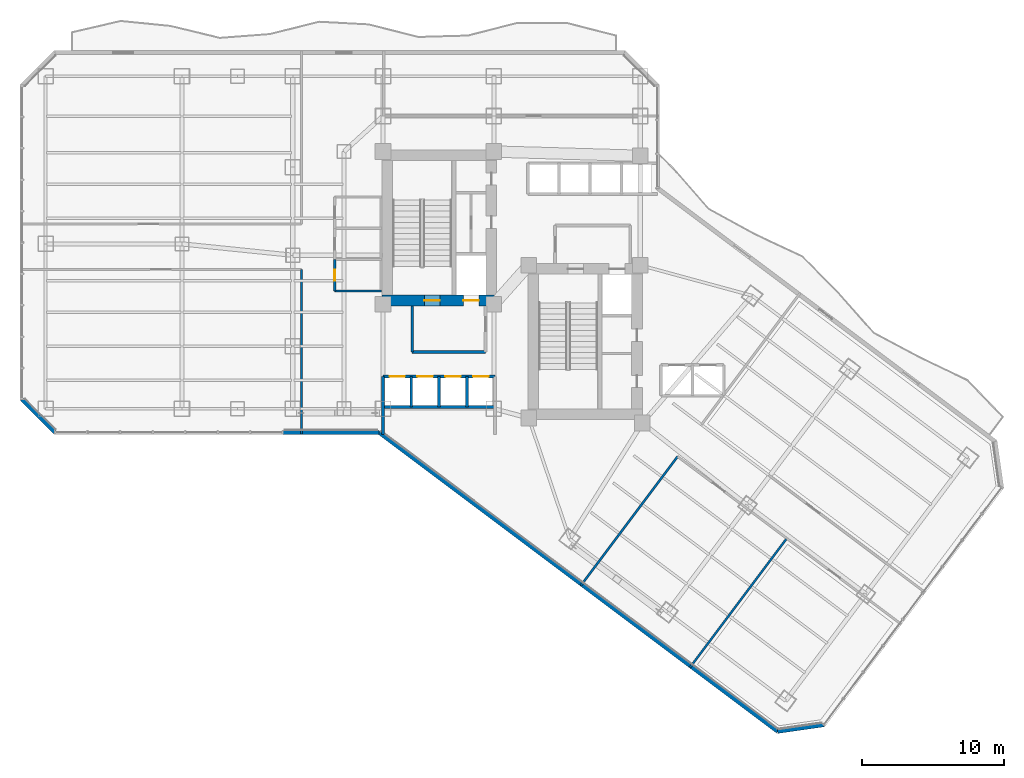
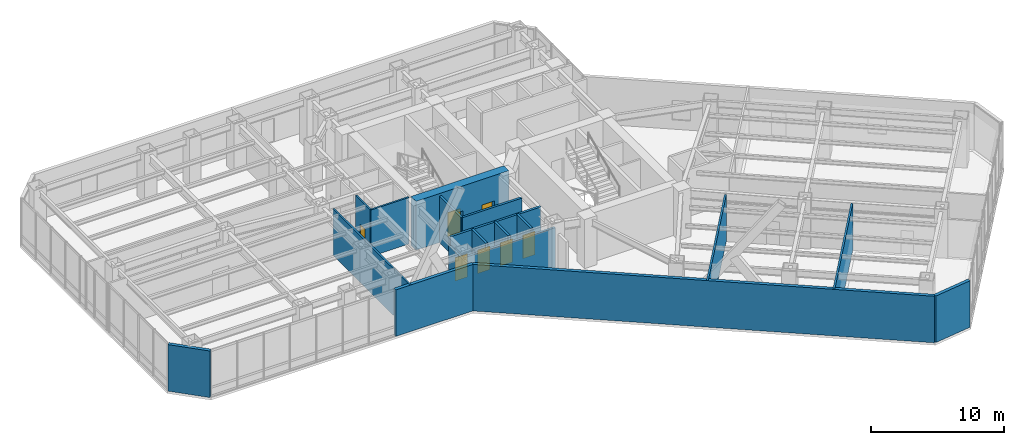
# One storey, part 21 of 29: 18 walls, 7 doors, 7 openings.
"""IFC4 building model written with IfcOpenShell, lengths in metres."""

from ifc_helpers import new_model, si_unit, direction, frame, frame_2d, origin, place, context, subcontext, project, spatial, rectangle, extrude, material, layer, layer_set, type_object, element, fill, save


model = new_model("IFC4")

# Units and contexts
model_context = context("Model", 3, precision=1e-05, world=origin(), true_north=direction((0.0, 1.0)))
body_context = subcontext(model_context, "Body", "Model", "MODEL_VIEW")
ifc_project = project(units=[si_unit("LENGTHUNIT", "METRE"), si_unit("AREAUNIT", "SQUARE_METRE"), si_unit("VOLUMEUNIT", "CUBIC_METRE"), si_unit("PLANEANGLEUNIT", "RADIAN"), si_unit("MASSUNIT", "GRAM", prefix="KILO")], contexts=[model_context])

# Site, building, storey
site_placement = place(None, origin())
site = spatial("IfcSite", under=ifc_project, at=site_placement, CompositionType="ELEMENT")
building_placement = place(site_placement, origin())
building = spatial("IfcBuilding", under=site, at=building_placement, Name="Hatsunagi Terrace Concourse", CompositionType="ELEMENT")
storey_placement = place(building_placement, frame((0.0, 0.0, 32.10009765625)))
storey = spatial("IfcBuildingStorey", under=building, at=storey_placement, Name="L07", CompositionType="ELEMENT", Elevation=32.10009765625)

# Wall, openings, doors
ifc_material_1 = material(Name="Concrete Fc60", Category="concrete")
ifc_layer_1 = layer(ifc_material_1, 0.75)
ifc_layer_set_1 = layer_set([ifc_layer_1], Name="CoreShearWall_Fc60_750")
wall_type_1 = type_object("IfcWallType", Name="CoreShearWall_Fc60_750", PredefinedType="SHEAR", material=ifc_layer_set_1)
wall_1_placement = place(storey_placement, frame((25.469970703125, 32.81494140625, 0.0), z_axis=(0.0, 0.0, 1.0), x_axis=(1.0, 0.0, 0.0)))
wall_1 = element("IfcWall", 1, at=wall_1_placement, inside=storey, type_object=wall_type_1, Name="Core A Shear Wall S L07", PredefinedType="SHEAR", context=body_context, shape_type="SweptSolid", body=[
    extrude(rectangle(XDim=8.080078125, YDim=0.75, at=frame_2d((4.0400390625, 0.0))), origin(), (0.0, 0.0, 1.0), 4.5),
])
opening_1_placement = place(wall_1_placement, frame((2.97998046875, 0.0, 0.0)))
opening_1 = element("IfcOpeningElement", 2, at=opening_1_placement, cuts=wall_1, Name="Opening DR-110S", PredefinedType="OPENING", context=body_context, shape_type="SweptSolid", body=[
    extrude(rectangle(XDim=1.10009765625, YDim=2.199951171875, at=frame_2d((0.550048828125, 1.10009765625))), frame((0.0, 0.385009765625, 0.0), z_axis=(0.0, -1.0, 0.0), x_axis=(1.0, 0.0, 0.0)), (0.0, 0.0, 1.0), 0.77001953125),
])
opening_2_placement = place(wall_1_placement, frame((5.72998046875, 0.0, 0.0)))
opening_2 = element("IfcOpeningElement", 3, at=opening_2_placement, cuts=wall_1, Name="Opening LD-01", PredefinedType="OPENING", context=body_context, shape_type="SweptSolid", body=[
    extrude(rectangle(XDim=1.10009765625, YDim=2.14990234375, at=frame_2d((0.550048828125, 1.074951171875))), frame((0.0, 0.385009765625, 0.0), z_axis=(0.0, -1.0, 0.0), x_axis=(1.0, 0.0, 0.0)), (0.0, 0.0, 1.0), 0.77001953125),
])
ifc_material_2 = material(Name="Stainless steel", Category="steel")
door_type_1 = type_object("IfcDoorType", Name="LiftLandingDoor_LD01", OperationType="SLIDING_TO_LEFT", PredefinedType="USERDEFINED", material=ifc_material_2)
door_1_placement = place(opening_2_placement, origin())
door_1 = element("IfcDoor", 4, at=door_1_placement, inside=storey, type_object=door_type_1, Name="Lift landing door FF-01 L07", ObjectType="SLIDING_LANDING_DOOR", OperationType="SLIDING_TO_LEFT", OverallHeight=2.14990234375, OverallWidth=1.10009765625, PredefinedType="USERDEFINED", context=body_context, shape_type="SweptSolid", body=[
    extrude(rectangle(XDim=1.10009765625, YDim=2.14990234375, at=frame_2d((0.550048828125, 1.074951171875))), frame((0.0, 0.02490234375, 0.0), z_axis=(0.0, -1.0, 0.0), x_axis=(1.0, 0.0, 0.0)), (0.0, 0.0, 1.0), 0.050048828125),
])
fill(opening_2, door_1)
ifc_material_3 = material(Name="Painted steel", Category="steel")
door_type_2 = type_object("IfcDoorType", Name="StairFireDoor_EI60_1100", OperationType="NOTDEFINED", PredefinedType="DOOR", material=ifc_material_3)
door_2_placement = place(opening_1_placement, origin())
door_2 = element("IfcDoor", 5, at=door_2_placement, inside=storey, type_object=door_type_2, Name="Stair ST-A Exit Door L07", OperationType="SINGLE_SWING_LEFT", OverallHeight=2.199951171875, OverallWidth=1.10009765625, PredefinedType="DOOR", context=body_context, shape_type="SweptSolid", body=[
    extrude(rectangle(XDim=1.10009765625, YDim=2.199951171875, at=frame_2d((0.550048828125, 1.10009765625))), frame((0.0, 0.02490234375, 0.0), z_axis=(0.0, -1.0, 0.0), x_axis=(1.0, 0.0, 0.0)), (0.0, 0.0, 1.0), 0.050048828125),
])
fill(opening_1, door_2)

# Wall
ifc_material_4 = material(Name="Acoustic mineral board", Category="gypsum")
ifc_layer_2 = layer(ifc_material_4, 0.14990234375)
ifc_layer_set_2 = layer_set([ifc_layer_2], Name="PartitionWall_EI60_150")
wall_type_2 = type_object("IfcWallType", Name="PartitionWall_EI60_150", PredefinedType="PARTITIONING", material=ifc_layer_set_2)
wall_2_placement = place(storey_placement, frame((22.14990234375, 33.5, 0.0), z_axis=(0.0, 0.0, 1.0), x_axis=(1.0, 0.0, 0.0)))
element("IfcWall", 6, at=wall_2_placement, inside=storey, type_object=wall_type_2, Name="Interior Partition IW-L07-030", PredefinedType="PARTITIONING", context=body_context, shape_type="SweptSolid", body=[
    extrude(rectangle(XDim=3.300048828125, YDim=0.14990234375, at=frame_2d((1.64990234375, 0.0))), origin(), (0.0, 0.0, 1.0), 4.27978515625),
])

# Wall, opening, door
wall_3_placement = place(storey_placement, frame((22.14990234375, 33.5, 0.0), z_axis=(0.0, 0.0, 1.0), x_axis=(0.0, 1.0, 0.0)))
wall_3 = element("IfcWall", 7, at=wall_3_placement, inside=storey, type_object=wall_type_2, Name="Interior Partition IW-L07-035", PredefinedType="PARTITIONING", context=body_context, shape_type="SweptSolid", body=[
    extrude(rectangle(XDim=2.199951171875, YDim=0.14990234375, at=frame_2d((1.10009765625, 0.0))), origin(), (0.0, 0.0, 1.0), 4.27978515625),
])
opening_3_placement = place(wall_3_placement, frame((0.699951171875, 0.0, 0.0)))
opening_3 = element("IfcOpeningElement", 8, at=opening_3_placement, cuts=wall_3, Name="Opening DR-080", PredefinedType="OPENING", context=body_context, shape_type="SweptSolid", body=[
    extrude(rectangle(XDim=0.800048828125, YDim=2.06005859375, at=frame_2d((0.39990234375, 1.030029296875))), frame((0.0, 0.0849609375, 0.0), z_axis=(0.0, -1.0, 0.0), x_axis=(1.0, 0.0, 0.0)), (0.0, 0.0, 1.0), 0.169921875),
])
ifc_material_5 = material(Name="Hardwood timber", Category="wood")
door_type_3 = type_object("IfcDoorType", Name="BathroomDoor_800", OperationType="NOTDEFINED", PredefinedType="DOOR", material=ifc_material_5)
door_3_placement = place(opening_3_placement, origin())
door_3 = element("IfcDoor", 9, at=door_3_placement, inside=storey, type_object=door_type_3, Name="Accessible WC Door L07", OperationType="SINGLE_SWING_RIGHT", OverallHeight=2.06005859375, OverallWidth=0.800048828125, PredefinedType="DOOR", context=body_context, shape_type="SweptSolid", body=[
    extrude(rectangle(XDim=0.800048828125, YDim=2.06005859375, at=frame_2d((0.39990234375, 1.030029296875))), frame((0.0, 0.02490234375, 0.0), z_axis=(0.0, -1.0, 0.0), x_axis=(1.0, 0.0, 0.0)), (0.0, 0.0, 1.0), 0.050048828125),
])
fill(opening_3, door_3)

# Walls
wall_4_placement = place(storey_placement, frame((19.800048828125, 23.43994140625, 0.0), z_axis=(0.0, 0.0, 1.0), x_axis=(0.0, 1.0, 0.0)))
element("IfcWall", 10, at=wall_4_placement, inside=storey, type_object=wall_type_2, Name="Interior Partition IW-L07-041", PredefinedType="PARTITIONING", context=body_context, shape_type="SweptSolid", body=[
    extrude(rectangle(XDim=11.56005859375, YDim=0.14990234375, at=frame_2d((5.780029296875, 0.0))), origin(), (0.0, 0.0, 1.0), 4.27978515625),
])
for number, where, z_axis, x_axis, name in (
    (11, (39.464111328125, 12.751953125, 0.0), (0.0, 0.0, 1.0), (0.599989684202, 0.800007736744, 0.0), "Interior Partition IW-L07-047"),
    (12, (47.14404296875, 6.991943359375, 0.0), (0.0, 0.0, 1.0), (0.599989684202, 0.800007736744, 0.0), "Interior Partition IW-L07-048"),
):
    element("IfcWall", number, at=place(storey_placement, frame(where, z_axis=z_axis, x_axis=x_axis)), inside=storey, type_object=wall_type_2, Name=name, PredefinedType="PARTITIONING", context=body_context, shape_type="SweptSolid", body=[
        extrude(rectangle(XDim=11.360107421875, YDim=0.14990234375, at=frame_2d((5.68017578125, 0.0))), origin(), (0.0, 0.0, 1.0), 4.27978515625),
    ])
ifc_material_6 = material(Name="Acoustic mineral board", Category="gypsum")
ifc_layer_3 = layer(ifc_material_6, 0.199951171875)
ifc_layer_set_3 = layer_set([ifc_layer_3], Name="ShaftWall_EI120_200")
wall_type_3 = type_object("IfcWallType", Name="ShaftWall_EI120_200", PredefinedType="STANDARD", material=ifc_layer_set_3)
wall_5_placement = place(storey_placement, frame((27.60009765625, 29.199951171875, 0.0), z_axis=(0.0, 0.0, 1.0), x_axis=(1.0, 0.0, 0.0)))
element("IfcWall", 13, at=wall_5_placement, inside=storey, type_object=wall_type_3, Name="Interior Partition IW-L07-006", PredefinedType="STANDARD", context=body_context, shape_type="SweptSolid", body=[
    extrude(rectangle(XDim=5.14990234375, YDim=0.199951171875, at=frame_2d((2.574951171875, 0.0))), origin(), (0.0, 0.0, 1.0), 4.27978515625),
])
wall_6_placement = place(storey_placement, frame((27.60009765625, 29.199951171875, 0.0), z_axis=(0.0, 0.0, 1.0), x_axis=(0.0, 1.0, 0.0)))
element("IfcWall", 14, at=wall_6_placement, inside=storey, type_object=wall_type_3, Name="Interior Partition IW-L07-007", PredefinedType="STANDARD", context=body_context, shape_type="SweptSolid", body=[
    extrude(rectangle(XDim=3.239990234375, YDim=0.199951171875, at=frame_2d((1.6201171875, 0.0))), origin(), (0.0, 0.0, 1.0), 4.27978515625),
])
wall_7_placement = place(storey_placement, frame((25.550048828125, 23.39990234375, 0.0), z_axis=(0.0, 0.0, 1.0), x_axis=(0.0, 1.0, 0.0)))
element("IfcWall", 15, at=wall_7_placement, inside=storey, type_object=wall_type_3, Name="Interior Partition IW-L07-012", PredefinedType="STANDARD", context=body_context, shape_type="SweptSolid", body=[
    extrude(rectangle(XDim=4.080078125, YDim=0.199951171875, at=frame_2d((2.0400390625, 0.0))), origin(), (0.0, 0.0, 1.0), 3.474853515625),
])
wall_8_placement = place(storey_placement, frame((25.550048828125, 25.320068359375, 0.0), z_axis=(0.0, 0.0, 1.0), x_axis=(1.0, 0.0, 0.0)))
element("IfcWall", 16, at=wall_8_placement, inside=storey, type_object=wall_type_3, Name="Interior Partition IW-L07-014", PredefinedType="STANDARD", context=body_context, shape_type="SweptSolid", body=[
    extrude(rectangle(XDim=7.8798828125, YDim=0.199951171875, at=frame_2d((3.93994140625, 0.0))), origin(), (0.0, 0.0, 1.0), 3.6748046875),
])
for number, where, z_axis, x_axis, name in (
    (17, (27.530029296875, 25.320068359375, 0.0), (0.0, 0.0, 1.0), (0.0, 1.0, 0.0), "Interior Partition IW-L07-015"),
    (18, (29.489990234375, 25.320068359375, 0.0), (0.0, 0.0, 1.0), (0.0, 1.0, 0.0), "Interior Partition IW-L07-016"),
    (19, (31.449951171875, 25.320068359375, 0.0), (0.0, 0.0, 1.0), (0.0, 1.0, 0.0), "Interior Partition IW-L07-017"),
):
    element("IfcWall", number, at=place(storey_placement, frame(where, z_axis=z_axis, x_axis=x_axis)), inside=storey, type_object=wall_type_3, Name=name, PredefinedType="STANDARD", context=body_context, shape_type="SweptSolid", body=[
        extrude(rectangle(XDim=2.159912109375, YDim=0.199951171875, at=frame_2d((1.080078125, 0.0))), origin(), (0.0, 0.0, 1.0), 4.27978515625),
    ])

# Wall, openings, doors
wall_9_placement = place(storey_placement, frame((25.550048828125, 27.47998046875, 0.0), z_axis=(0.0, 0.0, 1.0), x_axis=(1.0, 0.0, 0.0)))
wall_9 = element("IfcWall", 20, at=wall_9_placement, inside=storey, type_object=wall_type_3, Name="Interior Partition IW-L07-018", PredefinedType="STANDARD", context=body_context, shape_type="SweptSolid", body=[
    extrude(rectangle(XDim=7.8798828125, YDim=0.199951171875, at=frame_2d((3.93994140625, 0.0))), origin(), (0.0, 0.0, 1.0), 4.27978515625),
])
opening_4_placement = place(wall_9_placement, frame((0.4599609375, 0.0, 0.0)))
opening_4 = element("IfcOpeningElement", 21, at=opening_4_placement, cuts=wall_9, Name="Opening LD-03", PredefinedType="OPENING", context=body_context, shape_type="SweptSolid", body=[
    extrude(rectangle(XDim=1.080078125, YDim=2.14990234375, at=frame_2d((0.5400390625, 1.074951171875))), frame((0.0, 0.10986328125, 0.0), z_axis=(0.0, -1.0, 0.0), x_axis=(1.0, 0.0, 0.0)), (0.0, 0.0, 1.0), 0.219970703125),
])
opening_5_placement = place(wall_9_placement, frame((2.419921875, 0.0, 0.0)))
opening_5 = element("IfcOpeningElement", 22, at=opening_5_placement, cuts=wall_9, Name="Opening LD-03", PredefinedType="OPENING", context=body_context, shape_type="SweptSolid", body=[
    extrude(rectangle(XDim=1.080078125, YDim=2.14990234375, at=frame_2d((0.5400390625, 1.074951171875))), frame((0.0, 0.10986328125, 0.0), z_axis=(0.0, -1.0, 0.0), x_axis=(1.0, 0.0, 0.0)), (0.0, 0.0, 1.0), 0.219970703125),
])
opening_6_placement = place(wall_9_placement, frame((4.3798828125, 0.0, 0.0)))
opening_6 = element("IfcOpeningElement", 23, at=opening_6_placement, cuts=wall_9, Name="Opening LD-03", PredefinedType="OPENING", context=body_context, shape_type="SweptSolid", body=[
    extrude(rectangle(XDim=1.080078125, YDim=2.14990234375, at=frame_2d((0.5400390625, 1.074951171875))), frame((0.0, 0.10986328125, 0.0), z_axis=(0.0, -1.0, 0.0), x_axis=(1.0, 0.0, 0.0)), (0.0, 0.0, 1.0), 0.219970703125),
])
opening_7_placement = place(wall_9_placement, frame((6.340087890625, 0.0, 0.0)))
opening_7 = element("IfcOpeningElement", 24, at=opening_7_placement, cuts=wall_9, Name="Opening LD-03", PredefinedType="OPENING", context=body_context, shape_type="SweptSolid", body=[
    extrude(rectangle(XDim=1.080078125, YDim=2.14990234375, at=frame_2d((0.5400390625, 1.074951171875))), frame((0.0, 0.10986328125, 0.0), z_axis=(0.0, -1.0, 0.0), x_axis=(1.0, 0.0, 0.0)), (0.0, 0.0, 1.0), 0.219970703125),
])
ifc_material_7 = material(Name="Stainless steel", Category="steel")
door_type_4 = type_object("IfcDoorType", Name="LiftLandingDoor_LD03", OperationType="SLIDING_TO_LEFT", PredefinedType="USERDEFINED", material=ifc_material_7)
door_4_placement = place(opening_4_placement, origin())
door_4 = element("IfcDoor", 25, at=door_4_placement, inside=storey, type_object=door_type_4, Name="Lift landing door PL-01 L07", ObjectType="SLIDING_LANDING_DOOR", OperationType="SLIDING_TO_LEFT", OverallHeight=2.14990234375, OverallWidth=1.080078125, PredefinedType="USERDEFINED", context=body_context, shape_type="SweptSolid", body=[
    extrude(rectangle(XDim=1.080078125, YDim=2.14990234375, at=frame_2d((0.5400390625, 1.074951171875))), frame((0.0, 0.02490234375, 0.0), z_axis=(0.0, -1.0, 0.0), x_axis=(1.0, 0.0, 0.0)), (0.0, 0.0, 1.0), 0.050048828125),
])
fill(opening_4, door_4)
door_5_placement = place(opening_5_placement, origin())
door_5 = element("IfcDoor", 26, at=door_5_placement, inside=storey, type_object=door_type_4, Name="Lift landing door PL-02 L07", ObjectType="SLIDING_LANDING_DOOR", OperationType="SLIDING_TO_LEFT", OverallHeight=2.14990234375, OverallWidth=1.080078125, PredefinedType="USERDEFINED", context=body_context, shape_type="SweptSolid", body=[
    extrude(rectangle(XDim=1.080078125, YDim=2.14990234375, at=frame_2d((0.5400390625, 1.074951171875))), frame((0.0, 0.02490234375, 0.0), z_axis=(0.0, -1.0, 0.0), x_axis=(1.0, 0.0, 0.0)), (0.0, 0.0, 1.0), 0.050048828125),
])
fill(opening_5, door_5)
door_6_placement = place(opening_6_placement, origin())
door_6 = element("IfcDoor", 27, at=door_6_placement, inside=storey, type_object=door_type_4, Name="Lift landing door PL-03 L07", ObjectType="SLIDING_LANDING_DOOR", OperationType="SLIDING_TO_LEFT", OverallHeight=2.14990234375, OverallWidth=1.080078125, PredefinedType="USERDEFINED", context=body_context, shape_type="SweptSolid", body=[
    extrude(rectangle(XDim=1.080078125, YDim=2.14990234375, at=frame_2d((0.5400390625, 1.074951171875))), frame((0.0, 0.02490234375, 0.0), z_axis=(0.0, -1.0, 0.0), x_axis=(1.0, 0.0, 0.0)), (0.0, 0.0, 1.0), 0.050048828125),
])
fill(opening_6, door_6)
door_7_placement = place(opening_7_placement, origin())
door_7 = element("IfcDoor", 28, at=door_7_placement, inside=storey, type_object=door_type_4, Name="Lift landing door PL-04 L07", ObjectType="SLIDING_LANDING_DOOR", OperationType="SLIDING_TO_LEFT", OverallHeight=2.14990234375, OverallWidth=1.080078125, PredefinedType="USERDEFINED", context=body_context, shape_type="SweptSolid", body=[
    extrude(rectangle(XDim=1.080078125, YDim=2.14990234375, at=frame_2d((0.5400390625, 1.074951171875))), frame((0.0, 0.02490234375, 0.0), z_axis=(0.0, -1.0, 0.0), x_axis=(1.0, 0.0, 0.0)), (0.0, 0.0, 1.0), 0.050048828125),
])
fill(opening_7, door_7)

# Walls
ifc_material_8 = material(Name="Autoclaved Lightweight Concrete and Terracotta Cladding", Category="masonry")
ifc_layer_4 = layer(ifc_material_8, 0.280029296875)
ifc_layer_set_4 = layer_set([ifc_layer_4], Name="TerracottaSpandrelWall_280")
wall_type_4 = type_object("IfcWallType", Name="TerracottaSpandrelWall_280", PredefinedType="STANDARD", material=ifc_layer_set_4)
wall_10_placement = place(storey_placement, frame((56.56298828125, 2.949951171875, 0.0), z_axis=(0.0, 0.0, 1.0), x_axis=(-0.989977778067, -0.141223223777, 0.0)))
element("IfcWall", 29, at=wall_10_placement, inside=storey, type_object=wall_type_4, Name="Exterior Spandrel Wall EW-L07-04", PredefinedType="STANDARD", context=body_context, shape_type="SweptSolid", body=[
    extrude(rectangle(XDim=3.27783203125, YDim=0.280029296875, at=frame_2d((1.638916015625, 0.0))), origin(), (0.0, 0.0, 1.0), 4.27978515625),
])
wall_11_placement = place(storey_placement, frame((53.318115234375, 2.487060546875, 0.0), z_axis=(0.0, 0.0, 1.0), x_axis=(-0.800004174678, 0.599994433723, 0.0)))
element("IfcWall", 30, at=wall_11_placement, inside=storey, type_object=wall_type_4, Name="Exterior Spandrel Wall EW-L07-05", PredefinedType="STANDARD", context=body_context, shape_type="SweptSolid", body=[
    extrude(rectangle(XDim=35.088623046875, YDim=0.280029296875, at=frame_2d((17.54443359375, 0.0))), origin(), (0.0, 0.0, 1.0), 4.27978515625),
])
wall_12_placement = place(storey_placement, frame((25.2470703125, 23.5400390625, 0.0), z_axis=(0.0, 0.0, 1.0), x_axis=(-1.0, 0.0, 0.0)))
element("IfcWall", 31, at=wall_12_placement, inside=storey, type_object=wall_type_4, Name="Exterior Spandrel Wall EW-L07-06", PredefinedType="STANDARD", context=body_context, shape_type="SweptSolid", body=[
    extrude(rectangle(XDim=6.7470703125, YDim=0.280029296875, at=frame_2d((3.37353515625, 0.0))), origin(), (0.0, 0.0, 1.0), 4.27978515625),
])
wall_13_placement = place(storey_placement, frame((2.4580078125, 23.5400390625, 0.0), z_axis=(0.0, 0.0, 1.0), x_axis=(-0.707144017911, 0.707069542501, 0.0)))
element("IfcWall", 32, at=wall_13_placement, inside=storey, type_object=wall_type_4, Name="Exterior Spandrel Wall EW-L07-08", PredefinedType="STANDARD", context=body_context, shape_type="SweptSolid", body=[
    extrude(rectangle(XDim=3.278076171875, YDim=0.280029296875, at=frame_2d((1.63916015625, 0.0))), origin(), (0.0, 0.0, 1.0), 4.27978515625),
])

save(model, "model.ifc")
